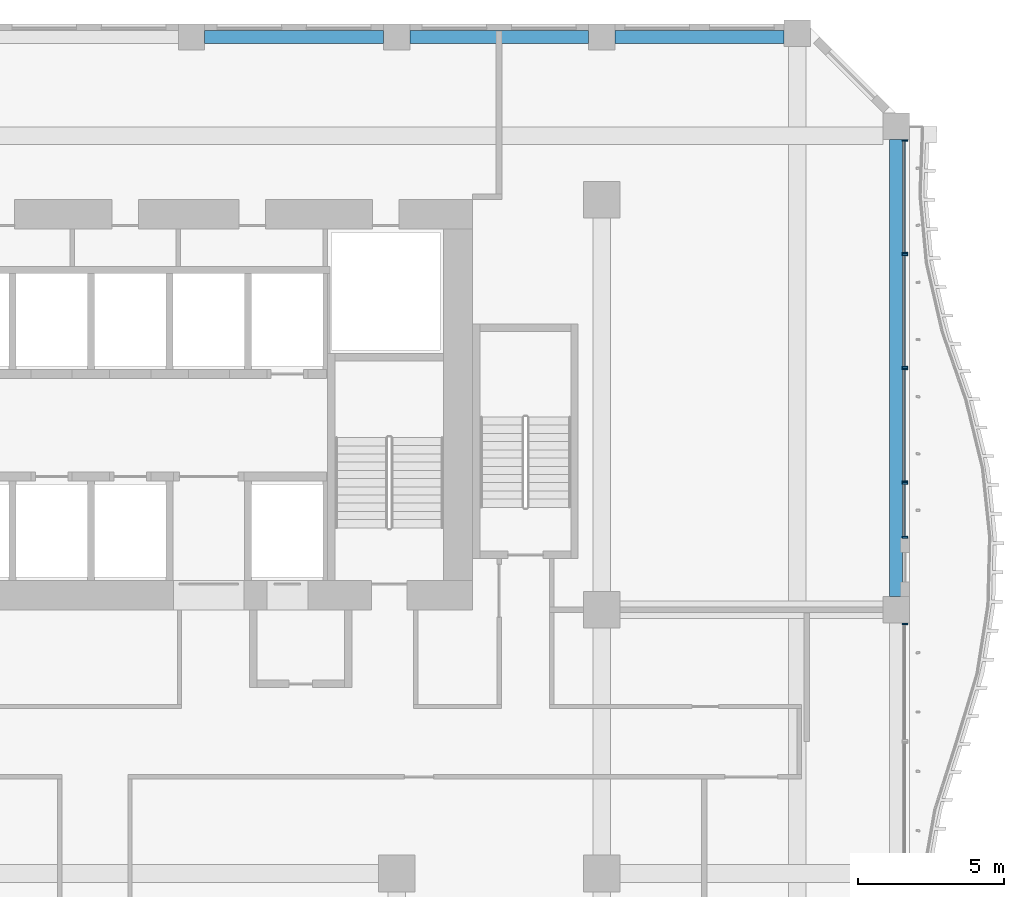
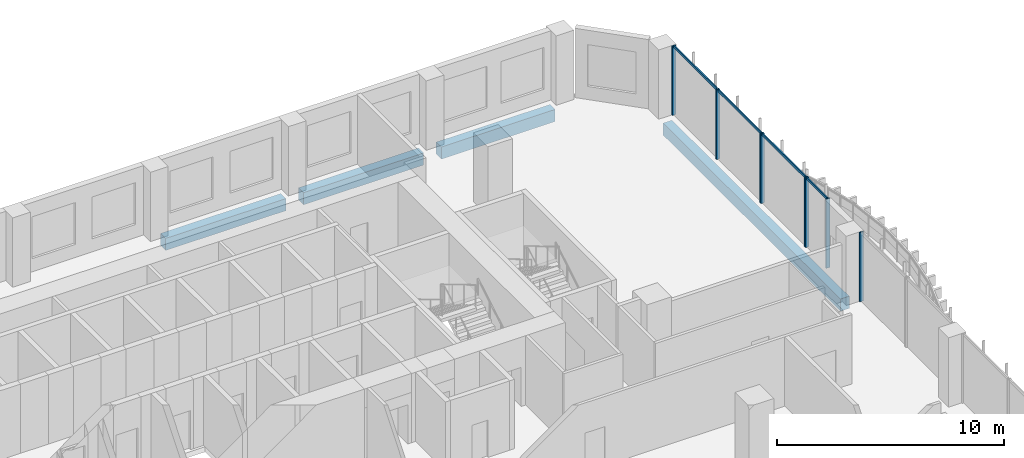
# One storey, part 9 of 27: 13 members, 4 beams, 5 elements without a shape of their own.
"""IFC4 building model written with IfcOpenShell, lengths in metres."""

import ifcopenshell
import ifcopenshell.guid

model = None  # the IFC model being written
_history = None  # IfcOwnerHistory: only IFC2X3 demands one
_inside = {}  # id of a spatial element -> (the spatial element, [elements in it])
_under = {}  # id of a project, library or spatial element -> (it, [spatial elements below it])
_declared = {}  # id of a project -> (the project, [libraries it declares])
_typed = {}  # id of a type object -> (the type object, [elements of that type])
_made_of = {}  # id of a material, layer set ... -> (it, [elements and type objects made of it])


def new_model(schema):
    """Start an empty IFC model of exactly this schema.

    Asked for "IFC4X3", IfcOpenShell would pick the latest addendum, in which some entities
    have other attributes; the version numbers below select the first issue.
    IFC2X3 requires an IfcOwnerHistory on every rooted entity: one is made here for all.
    """
    global model, _history
    if schema == "IFC4X3":
        model = ifcopenshell.file(schema_version=(4, 3, 0, 0))
    else:
        model = ifcopenshell.file(schema=schema)
    _inside.clear()
    _under.clear()
    _declared.clear()
    _typed.clear()
    _made_of.clear()
    _history = None
    if model.schema == "IFC2X3":
        org = make("IfcOrganization", Name="unknown")
        user = make(
            "IfcPersonAndOrganization",
            ThePerson=make("IfcPerson", FamilyName="unknown"),
            TheOrganization=org,
        )
        app = make(
            "IfcApplication",
            ApplicationDeveloper=org,
            Version="unknown",
            ApplicationFullName="unknown",
            ApplicationIdentifier="unknown",
        )
        _history = make(
            "IfcOwnerHistory",
            OwningUser=user,
            OwningApplication=app,
            ChangeAction="ADDED",
            CreationDate=0,
        )
    return model


def make(cls, **values):
    """One entity of the class cls with the attributes given. An attribute that is None is left unset."""
    return model.create_entity(
        cls, **{name: value for name, value in values.items() if value is not None}
    )


def rooted(cls, **values):
    """An entity with a GlobalId (a new one), such as an element, a storey or a relation."""
    return make(cls, GlobalId=ifcopenshell.guid.new(), OwnerHistory=_history, **values)


def si_unit(unit_type, name, prefix=None):
    """IfcSIUnit, for example si_unit("LENGTHUNIT", "METRE", prefix="MILLI")."""
    return make("IfcSIUnit", UnitType=unit_type, Prefix=prefix, Name=name)


def assignment(units):
    """IfcUnitAssignment: the units of a project."""
    return None if units is None else make("IfcUnitAssignment", Units=units)


def point(xyz):
    """IfcCartesianPoint."""
    return None if xyz is None else make("IfcCartesianPoint", Coordinates=xyz)


def direction(xyz):
    """IfcDirection."""
    return None if xyz is None else make("IfcDirection", DirectionRatios=xyz)


def frame(location, z_axis=None, x_axis=None):
    """IfcAxis2Placement3D, a coordinate frame: its origin and axes. An axis left out is left unset."""
    return make(
        "IfcAxis2Placement3D",
        Location=point(location),
        Axis=direction(z_axis),
        RefDirection=direction(x_axis),
    )


def frame_2d(location, x_axis=None):
    """IfcAxis2Placement2D, a coordinate frame in the plane: its origin and x axis."""
    return make(
        "IfcAxis2Placement2D", Location=point(location), RefDirection=direction(x_axis)
    )


def origin():
    """The frame at (0, 0, 0) with its axes left unset."""
    return frame((0.0, 0.0, 0.0))


def origin_2d():
    """The frame at (0, 0) in the plane with its x axis left unset."""
    return frame_2d((0.0, 0.0))


def place(relative_to, where):
    """IfcLocalPlacement: puts the frame where relative to a parent placement (None: the world)."""
    return make(
        "IfcLocalPlacement", PlacementRelTo=relative_to, RelativePlacement=where
    )


def context(
    kind, dimensions, precision=None, world=None, true_north=None, identifier=None
):
    """IfcGeometricRepresentationContext, for example the 3D "Model" context."""
    return make(
        "IfcGeometricRepresentationContext",
        ContextIdentifier=identifier,
        ContextType=kind,
        CoordinateSpaceDimension=dimensions,
        Precision=precision,
        WorldCoordinateSystem=world,
        TrueNorth=true_north,
    )


def subcontext(parent, identifier, kind, view, scale=None):
    """IfcGeometricRepresentationSubContext, for example "Body" below "Model"."""
    return make(
        "IfcGeometricRepresentationSubContext",
        ContextIdentifier=identifier,
        ContextType=kind,
        ParentContext=parent,
        TargetScale=scale,
        TargetView=view,
    )


def project(units=None, contexts=None):
    """IfcProject with its units and contexts."""
    return rooted(
        "IfcProject",
        Name="project",
        RepresentationContexts=contexts,
        UnitsInContext=assignment(units),
    )


def spatial(cls, under=None, at=None, **own):
    """A site, building, storey or space (cls), placed at a placement, below another one or the project."""
    s = rooted(cls, ObjectPlacement=at, **own)
    if under is not None:
        _under.setdefault(under.id(), (under, []))[1].append(s)
    return s


def profile(cls, at=None, kind="AREA", **sizes):
    """A parametric profile (cls). Its sizes go by their IFC names, for example OverallWidth=200.0."""
    return make(cls, ProfileType=kind, Position=at, **sizes)


def rectangle(**sizes):
    """IfcRectangleProfileDef."""
    return profile("IfcRectangleProfileDef", **sizes)


def extrude(swept, where, along, depth):
    """IfcExtrudedAreaSolid: the profile swept, set in the frame where, extruded along a direction by depth."""
    return make(
        "IfcExtrudedAreaSolid",
        SweptArea=swept,
        Position=where,
        ExtrudedDirection=direction(along),
        Depth=depth,
    )


def shape(context_of_items, identifier, shape_type, items):
    """IfcShapeRepresentation: the items that make up one representation, for example the "Body"."""
    return make(
        "IfcShapeRepresentation",
        ContextOfItems=context_of_items,
        RepresentationIdentifier=identifier,
        RepresentationType=shape_type,
        Items=items,
    )


def source(mapping_origin, context_of_items, identifier, shape_type, items):
    """IfcRepresentationMap: a shape defined once, which mapped items show again and again."""
    return make(
        "IfcRepresentationMap",
        MappingOrigin=mapping_origin,
        MappedRepresentation=shape(context_of_items, identifier, shape_type, items),
    )


def transform(
    local_origin,
    x_axis=None,
    y_axis=None,
    z_axis=None,
    scale=None,
    scale2=None,
    scale3=None,
    uniform=True,
):
    """IfcCartesianTransformationOperator3D, or its non-uniform kind. x_axis, y_axis, z_axis: its Axis1, 2, 3."""
    if uniform:
        return make(
            "IfcCartesianTransformationOperator3D",
            Axis1=direction(x_axis),
            Axis2=direction(y_axis),
            LocalOrigin=point(local_origin),
            Scale=scale,
            Axis3=direction(z_axis),
        )
    return make(
        "IfcCartesianTransformationOperator3DnonUniform",
        Axis1=direction(x_axis),
        Axis2=direction(y_axis),
        LocalOrigin=point(local_origin),
        Scale=scale,
        Axis3=direction(z_axis),
        Scale2=scale2,
        Scale3=scale3,
    )


def mapped(mapping_source, mapping_target):
    """IfcMappedItem: shows the shape of a source again, moved by a transform."""
    return make(
        "IfcMappedItem", MappingSource=mapping_source, MappingTarget=mapping_target
    )


def material(Name=None, Category=None):
    """IfcMaterial."""
    return make("IfcMaterial", Name=Name, Category=Category)


def material_profile(
    of_material, cross_section, Name=None, Category=None, Priority=None
):
    """IfcMaterialProfile: a cross section and its material."""
    return make(
        "IfcMaterialProfile",
        Name=Name,
        Material=of_material,
        Profile=cross_section,
        Priority=Priority,
        Category=Category,
    )


def profile_set(profiles, Name=None, composite=None):
    """IfcMaterialProfileSet."""
    return make(
        "IfcMaterialProfileSet",
        Name=Name,
        MaterialProfiles=profiles,
        CompositeProfile=composite,
    )


def made_of(thing, what):
    """Note that an element or type object is made of a material, layer set ...; save() writes the relation."""
    if what is not None:
        _made_of.setdefault(what.id(), (what, []))[1].append(thing)
    return thing


def type_object(cls, material=None, **own):
    """A type object (cls), such as IfcWallType, which elements share."""
    return made_of(rooted(cls, **own), material)


def element(
    cls,
    number,
    at=None,
    inside=None,
    cuts=None,
    type_object=None,
    material=None,
    context=None,
    identifier="Body",
    shape_type=None,
    held_by="IfcProductDefinitionShape",
    body=None,
    shapes=None,
    **own,
):
    """One element of the class cls, such as IfcWall. Its Tag is "e" and its number.

    at: its placement. inside: the storey or other place that contains it. cuts: it is an
    opening in that element (IfcRelVoidsElement). A single representation is given by context,
    identifier, shape_type and body (its items); several are given by shapes. held_by: the class
    of the entity that holds the representations. save() writes the other relations.
    """
    e = rooted(cls, Tag="e%d" % number, ObjectPlacement=at, **own)
    if body is not None:
        shapes = [shape(context, identifier, shape_type, body)]
    if shapes is not None:
        e.Representation = make(held_by, Representations=shapes)
    if inside is not None:
        _inside.setdefault(inside.id(), (inside, []))[1].append(e)
    if cuts is not None:
        rooted(
            "IfcRelVoidsElement", RelatingBuildingElement=cuts, RelatedOpeningElement=e
        )
    if type_object is not None:
        _typed.setdefault(type_object.id(), (type_object, []))[1].append(e)
    return made_of(e, material)


def aggregate(whole, parts):
    """IfcRelAggregates: a whole, such as a stair, and the parts it consists of."""
    return rooted("IfcRelAggregates", RelatingObject=whole, RelatedObjects=parts)


def save(model, path):
    """Write the relations noted so far, then the file.

    IfcRelAggregates (storeys below a building ...), IfcRelContainedInSpatialStructure (elements
    in a storey), IfcRelDefinesByType, IfcRelAssociatesMaterial and IfcRelDeclares: one each for
    every whole, place, type object, material and project.
    """
    for whole, parts in _under.values():
        aggregate(whole, parts)
    for where, things in _inside.values():
        rooted(
            "IfcRelContainedInSpatialStructure",
            RelatedElements=things,
            RelatingStructure=where,
        )
    for kind, things in _typed.values():
        rooted("IfcRelDefinesByType", RelatedObjects=things, RelatingType=kind)
    for what, things in _made_of.values():
        rooted("IfcRelAssociatesMaterial", RelatedObjects=things, RelatingMaterial=what)
    for by, libraries in _declared.values():
        rooted("IfcRelDeclares", RelatingContext=by, RelatedDefinitions=libraries)
    model.write(path)


model = new_model("IFC4")

# Units and contexts
model_context = context("Model", 3, precision=1e-05, world=origin(), true_north=direction((0.0, 1.0)))
body_context = subcontext(model_context, "Body", "Model", "MODEL_VIEW")
ifc_project = project(units=[si_unit("LENGTHUNIT", "METRE"), si_unit("AREAUNIT", "SQUARE_METRE"), si_unit("VOLUMEUNIT", "CUBIC_METRE"), si_unit("PLANEANGLEUNIT", "RADIAN"), si_unit("MASSUNIT", "GRAM", prefix="KILO")], contexts=[model_context])

# Site, building, storey
site_placement = place(None, origin())
site = spatial("IfcSite", under=ifc_project, at=site_placement, CompositionType="ELEMENT")
building_placement = place(site_placement, origin())
building = spatial("IfcBuilding", under=site, at=building_placement, Name="Kilnfold Tower and Market Hall", CompositionType="ELEMENT")
storey_placement = place(building_placement, frame((0.0, 0.0, 71.199951171875)))
storey = spatial("IfcBuildingStorey", under=building, at=storey_placement, Name="L16", CompositionType="ELEMENT", Elevation=71.199951171875)

# Beams
ifc_material_1 = material(Name="Concrete C45", Category="concrete")
ifc_material_profile_1 = material_profile(ifc_material_1, rectangle(XDim=0.449951171875, YDim=0.64990234375, at=origin_2d()), Name="RC 450x650")
ifc_profile_set_1 = profile_set([ifc_material_profile_1], Name="Concrete C45")
beam_type = type_object("IfcBeamType", Name="EDGE BEAM 450X650 C45", PredefinedType="BEAM", material=ifc_profile_set_1)
shared_shape_1 = source(origin(), body_context, "Body", "SweptSolid", [
    extrude(rectangle(XDim=0.449951171875, YDim=0.64990234375, at=origin_2d()), origin(), (0.0, 0.0, 1.0), 6.10009765625),
])
for number, where, z_axis, x_axis, name in (
    (1, (8.949951171875, 27.550048828125, -0.60498046875), (1.0, 0.0, 0.0), (0.0, 1.0, 0.0), "Beam EB650-B2.79"),
    (2, (15.949951171875, 27.550048828125, -0.60498046875), (1.0, 0.0, 0.0), (0.0, 1.0, 0.0), "Beam EB650-B2.80"),
):
    element("IfcBeam", number, at=place(storey_placement, frame(where, z_axis=z_axis, x_axis=x_axis)), inside=storey, type_object=beam_type, Name=name, PredefinedType="BEAM", context=body_context, shape_type="MappedRepresentation", body=[
        mapped(shared_shape_1, transform((0.0, 0.0, 0.0))),
    ])
shared_shape_2 = source(origin(), body_context, "Body", "SweptSolid", [
    extrude(rectangle(XDim=0.449951171875, YDim=0.64990234375, at=origin_2d()), origin(), (0.0, 0.0, 1.0), 5.78173828125),
])
beam_1_placement = place(storey_placement, frame((22.949951171875, 27.550048828125, -0.60498046875), z_axis=(1.0, 0.0, 0.0), x_axis=(0.0, 1.0, 0.0)))
element("IfcBeam", 3, at=beam_1_placement, inside=storey, type_object=beam_type, Name="Beam EB650-B2.81", PredefinedType="BEAM", context=body_context, shape_type="MappedRepresentation", body=[
    mapped(shared_shape_2, transform((0.0, 0.0, 0.0))),
])
shared_shape_3 = source(origin(), body_context, "Body", "SweptSolid", [
    extrude(rectangle(XDim=0.449951171875, YDim=0.64990234375, at=origin_2d()), origin(), (0.0, 0.0, 1.0), 15.60009765625),
])
beam_2_placement = place(storey_placement, frame((32.550048828125, 8.449951171875, -0.60498046875), z_axis=(0.0, 1.0, 0.0), x_axis=(-1.0, 0.0, 0.0)))
element("IfcBeam", 4, at=beam_2_placement, inside=storey, type_object=beam_type, Name="Beam EB650-B2.103", PredefinedType="BEAM", context=body_context, shape_type="MappedRepresentation", body=[
    mapped(shared_shape_3, transform((0.0, 0.0, 0.0))),
])

# Curtain wall, member
ifc_material_2 = material(Name="Aluminium and double glazing", Category="aluminium")
curtain_wall_type = type_object("IfcCurtainWallType", Name="CW OF1 VALLEY GLAZING", PredefinedType="NOTDEFINED", material=ifc_material_2)
curtain_wall_1_placement = place(storey_placement, origin())
curtain_wall_1 = element("IfcCurtainWall", 5, at=curtain_wall_1_placement, inside=storey, type_object=curtain_wall_type, Name="Curtain wall CW1 L16 E", PredefinedType="NOTDEFINED")
ifc_material_3 = material(Name="Aluminium", Category="aluminium")
ifc_material_profile_2 = material_profile(ifc_material_3, rectangle(XDim=0.06005859375, YDim=0.179931640625, at=origin_2d()), Name="MULLION 60x180")
ifc_profile_set_2 = profile_set([ifc_material_profile_2], Name="Aluminium")
member_type_1 = type_object("IfcMemberType", Name="MULLION 60X180", PredefinedType="MULLION", material=ifc_profile_set_2)
shared_shape_4 = source(origin(), body_context, "Body", "SweptSolid", [
    extrude(rectangle(XDim=0.06005859375, YDim=0.179931640625, at=origin_2d()), origin(), (0.0, 0.0, 1.0), 3.719970703125),
])
member_1_placement = place(storey_placement, frame((32.85009765625, 7.52001953125, 0.0), z_axis=(0.0, 0.0, 1.0), x_axis=(0.0, 1.0, 0.0)))
member_1 = element("IfcMember", 6, at=member_1_placement, type_object=member_type_1, Name="CW1 mullion 2", PredefinedType="MULLION", context=body_context, shape_type="MappedRepresentation", body=[
    mapped(shared_shape_4, transform((0.0, 0.0, 0.0))),
])
aggregate(curtain_wall_1, [member_1])

# Curtain wall, members
curtain_wall_2_placement = place(storey_placement, origin())
curtain_wall_2 = element("IfcCurtainWall", 7, at=curtain_wall_2_placement, inside=storey, type_object=curtain_wall_type, Name="Curtain wall CW1 L16 E", PredefinedType="NOTDEFINED")
member_2_placement = place(storey_placement, frame((32.85009765625, 10.47998046875, 0.0), z_axis=(0.0, 0.0, 1.0), x_axis=(0.0, 1.0, 0.0)))
member_2 = element("IfcMember", 8, at=member_2_placement, type_object=member_type_1, Name="CW1 mullion 1", PredefinedType="MULLION", context=body_context, shape_type="MappedRepresentation", body=[
    mapped(shared_shape_4, transform((0.0, 0.0, 0.0))),
])
member_3_placement = place(storey_placement, frame((32.85009765625, 12.320068359375, 0.0), z_axis=(0.0, 0.0, 1.0), x_axis=(0.0, 1.0, 0.0)))
member_3 = element("IfcMember", 9, at=member_3_placement, type_object=member_type_1, Name="CW1 mullion 2", PredefinedType="MULLION", context=body_context, shape_type="MappedRepresentation", body=[
    mapped(shared_shape_4, transform((0.0, 0.0, 0.0))),
])

curtain_wall_3_placement = place(storey_placement, origin())
curtain_wall_3 = element("IfcCurtainWall", 10, at=curtain_wall_3_placement, inside=storey, type_object=curtain_wall_type, Name="Curtain wall CW1 L16 E", PredefinedType="NOTDEFINED")
member_4_placement = place(storey_placement, frame((32.85009765625, 12.3798828125, 0.0), z_axis=(0.0, 0.0, 1.0), x_axis=(0.0, 1.0, 0.0)))
member_4 = element("IfcMember", 11, at=member_4_placement, type_object=member_type_1, Name="CW1 mullion 1", PredefinedType="MULLION", context=body_context, shape_type="MappedRepresentation", body=[
    mapped(shared_shape_4, transform((0.0, 0.0, 0.0))),
])
member_5_placement = place(storey_placement, frame((32.85009765625, 16.219970703125, 0.0), z_axis=(0.0, 0.0, 1.0), x_axis=(0.0, 1.0, 0.0)))
member_5 = element("IfcMember", 12, at=member_5_placement, type_object=member_type_1, Name="CW1 mullion 2", PredefinedType="MULLION", context=body_context, shape_type="MappedRepresentation", body=[
    mapped(shared_shape_4, transform((0.0, 0.0, 0.0))),
])

curtain_wall_4_placement = place(storey_placement, origin())
curtain_wall_4 = element("IfcCurtainWall", 13, at=curtain_wall_4_placement, inside=storey, type_object=curtain_wall_type, Name="Curtain wall CW1 L16 E", PredefinedType="NOTDEFINED")
member_6_placement = place(storey_placement, frame((32.85009765625, 16.280029296875, 0.0), z_axis=(0.0, 0.0, 1.0), x_axis=(0.0, 1.0, 0.0)))
member_6 = element("IfcMember", 14, at=member_6_placement, type_object=member_type_1, Name="CW1 mullion 1", PredefinedType="MULLION", context=body_context, shape_type="MappedRepresentation", body=[
    mapped(shared_shape_4, transform((0.0, 0.0, 0.0))),
])
member_7_placement = place(storey_placement, frame((32.85009765625, 20.1201171875, 0.0), z_axis=(0.0, 0.0, 1.0), x_axis=(0.0, 1.0, 0.0)))
member_7 = element("IfcMember", 15, at=member_7_placement, type_object=member_type_1, Name="CW1 mullion 2", PredefinedType="MULLION", context=body_context, shape_type="MappedRepresentation", body=[
    mapped(shared_shape_4, transform((0.0, 0.0, 0.0))),
])

curtain_wall_5_placement = place(storey_placement, origin())
curtain_wall_5 = element("IfcCurtainWall", 16, at=curtain_wall_5_placement, inside=storey, type_object=curtain_wall_type, Name="Curtain wall CW1 L16 E", PredefinedType="NOTDEFINED")
member_8_placement = place(storey_placement, frame((32.85009765625, 20.179931640625, 0.0), z_axis=(0.0, 0.0, 1.0), x_axis=(0.0, 1.0, 0.0)))
member_8 = element("IfcMember", 17, at=member_8_placement, type_object=member_type_1, Name="CW1 mullion 1", PredefinedType="MULLION", context=body_context, shape_type="MappedRepresentation", body=[
    mapped(shared_shape_4, transform((0.0, 0.0, 0.0))),
])
member_9_placement = place(storey_placement, frame((32.85009765625, 24.02001953125, 0.0), z_axis=(0.0, 0.0, 1.0), x_axis=(0.0, 1.0, 0.0)))
member_9 = element("IfcMember", 18, at=member_9_placement, type_object=member_type_1, Name="CW1 mullion 2", PredefinedType="MULLION", context=body_context, shape_type="MappedRepresentation", body=[
    mapped(shared_shape_4, transform((0.0, 0.0, 0.0))),
])

# Member
ifc_material_4 = material(Name="Aluminium", Category="aluminium")
ifc_material_profile_3 = material_profile(ifc_material_4, rectangle(XDim=0.06005859375, YDim=0.139892578125, at=origin_2d()), Name="TRANSOM 60x140")
ifc_profile_set_3 = profile_set([ifc_material_profile_3], Name="Aluminium")
member_type_2 = type_object("IfcMemberType", Name="TRANSOM 60X140", PredefinedType="USERDEFINED", material=ifc_profile_set_3)
shared_shape_5 = source(origin(), body_context, "Body", "SweptSolid", [
    extrude(rectangle(XDim=0.06005859375, YDim=0.139892578125, at=origin_2d()), origin(), (0.0, 0.0, 1.0), 3.780029296875),
])
member_10_placement = place(storey_placement, frame((32.85009765625, 12.409912109375, 3.68994140625), z_axis=(0.0, 1.0, 0.0), x_axis=(-1.0, 0.0, 0.0)))
member_10 = element("IfcMember", 19, at=member_10_placement, type_object=member_type_2, Name="CW1 transom 1.2", ObjectType="TRANSOM", PredefinedType="USERDEFINED", context=body_context, shape_type="MappedRepresentation", body=[
    mapped(shared_shape_5, transform((0.0, 0.0, 0.0))),
])

aggregate(curtain_wall_3, [member_4, member_5, member_10])

member_11_placement = place(storey_placement, frame((32.85009765625, 16.31005859375, 3.68994140625), z_axis=(0.0, 1.0, 0.0), x_axis=(-1.0, 0.0, 0.0)))
member_11 = element("IfcMember", 20, at=member_11_placement, type_object=member_type_2, Name="CW1 transom 1.2", ObjectType="TRANSOM", PredefinedType="USERDEFINED", context=body_context, shape_type="MappedRepresentation", body=[
    mapped(shared_shape_5, transform((0.0, 0.0, 0.0))),
])

aggregate(curtain_wall_4, [member_6, member_7, member_11])

member_12_placement = place(storey_placement, frame((32.85009765625, 20.2099609375, 3.68994140625), z_axis=(0.0, 1.0, 0.0), x_axis=(-1.0, 0.0, 0.0)))
member_12 = element("IfcMember", 21, at=member_12_placement, type_object=member_type_2, Name="CW1 transom 1.2", ObjectType="TRANSOM", PredefinedType="USERDEFINED", context=body_context, shape_type="MappedRepresentation", body=[
    mapped(shared_shape_5, transform((0.0, 0.0, 0.0))),
])

aggregate(curtain_wall_5, [member_8, member_9, member_12])

shared_shape_6 = source(origin(), body_context, "Body", "SweptSolid", [
    extrude(rectangle(XDim=0.06005859375, YDim=0.139892578125, at=origin_2d()), origin(), (0.0, 0.0, 1.0), 1.780029296875),
])
member_13_placement = place(storey_placement, frame((32.85009765625, 10.510009765625, 3.68994140625), z_axis=(0.0, 1.0, 0.0), x_axis=(-1.0, 0.0, 0.0)))
member_13 = element("IfcMember", 22, at=member_13_placement, type_object=member_type_2, Name="CW1 transom 1.2", ObjectType="TRANSOM", PredefinedType="USERDEFINED", context=body_context, shape_type="MappedRepresentation", body=[
    mapped(shared_shape_6, transform((0.0, 0.0, 0.0))),
])

aggregate(curtain_wall_2, [member_2, member_3, member_13])

save(model, "model.ifc")
